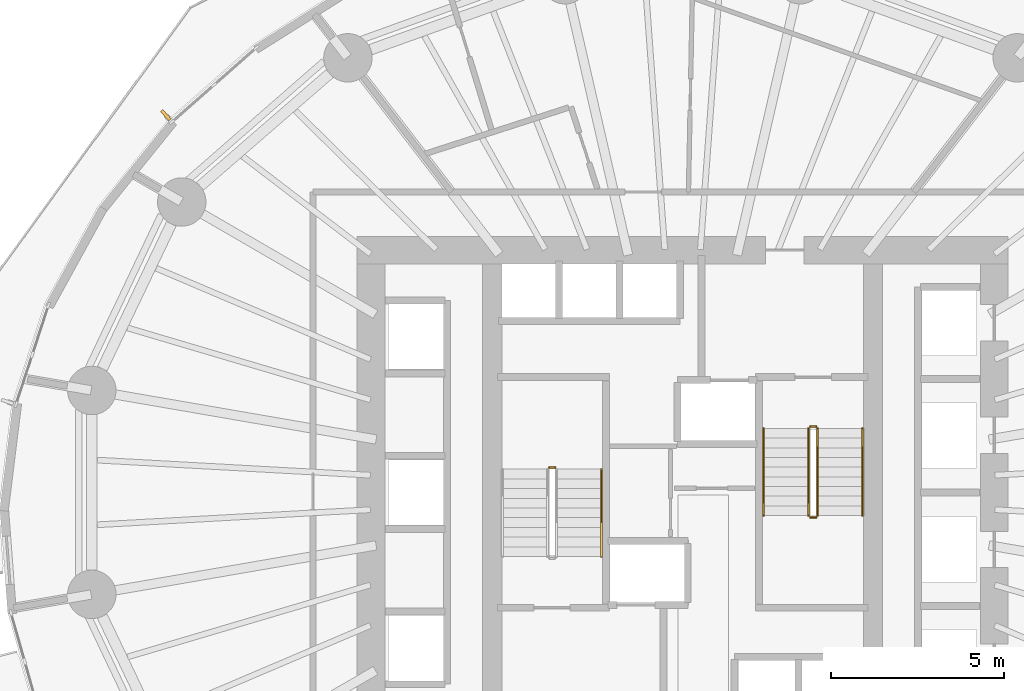
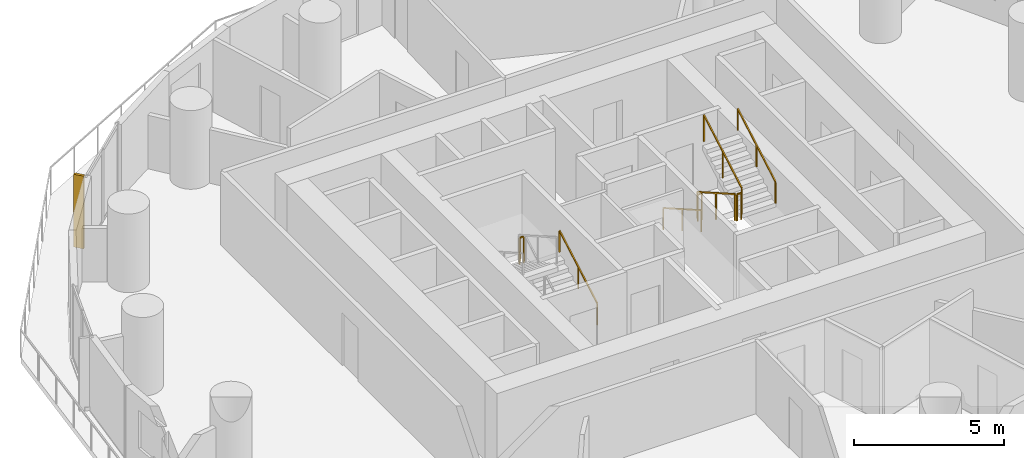
# One storey, part 13 of 14: 8 railings, 1 shading device.
"""IFC4 building model written with IfcOpenShell, lengths in metres."""

from ifc_helpers import new_model, si_unit, direction, frame, origin, origin_2d, place, context, subcontext, project, spatial, rectangle, extrude, material, layer, layer_set, type_object, element, save


model = new_model("IFC4")

# Units and contexts
model_context = context("Model", 3, precision=1e-05, world=origin(), true_north=direction((0.0, 1.0)))
body_context = subcontext(model_context, "Body", "Model", "MODEL_VIEW")
ifc_project = project(units=[si_unit("LENGTHUNIT", "METRE"), si_unit("AREAUNIT", "SQUARE_METRE"), si_unit("VOLUMEUNIT", "CUBIC_METRE"), si_unit("PLANEANGLEUNIT", "RADIAN"), si_unit("MASSUNIT", "GRAM", prefix="KILO")], contexts=[model_context])

# Site, building, storey
site_placement = place(None, origin())
site = spatial("IfcSite", under=ifc_project, at=site_placement, CompositionType="ELEMENT")
building_placement = place(site_placement, origin())
building = spatial("IfcBuilding", under=site, at=building_placement, Name="Veldorim Arch Residences", CompositionType="ELEMENT")
storey_placement = place(building_placement, frame((0.0, 0.0, 50.39990234375)))
storey = spatial("IfcBuildingStorey", under=building, at=storey_placement, Name="L14", CompositionType="ELEMENT", Elevation=50.39990234375)

# Railings
ifc_material_1 = material(Name="Steel S355", Category="steel")
railing_type_1 = type_object("IfcRailingType", Name="Galvanised Steel Stair Safety Guardrail 1100", PredefinedType="GUARDRAIL", material=ifc_material_1)
railing_1_placement = place(storey_placement, frame((28.31005859375, 24.719970703125, 1.60009765625)))
element("IfcRailing", 1, at=railing_1_placement, inside=storey, type_object=railing_type_1, Name="L14 ST-1 stair guard 2", PredefinedType="GUARDRAIL", context=body_context, shape_type="SweptSolid", body=[
    extrude(rectangle(XDim=0.048095703125, YDim=0.048095703125, at=origin_2d()), frame((0.0, 0.0, 1.076171875), z_axis=(-1.0, 0.0, 0.0), x_axis=(0.0, -1.0, 0.0)), (0.0, 0.0, 1.0), 0.16015625),
    extrude(rectangle(XDim=0.0419921875, YDim=0.0419921875, at=origin_2d()), origin(), (0.0, 0.0, 1.0), 1.052001953125),
    extrude(rectangle(XDim=0.0419921875, YDim=0.0419921875, at=origin_2d()), frame((-0.16015625, 0.0, 0.0)), (0.0, 0.0, 1.0), 1.052001953125),
])
railing_2_placement = place(storey_placement, frame((35.639892578125, 25.85009765625, 0.16015625)))
element("IfcRailing", 2, at=railing_2_placement, inside=storey, type_object=railing_type_1, Name="L14 ST-2 stair guard 1", PredefinedType="GUARDRAIL", context=body_context, shape_type="SweptSolid", body=[
    extrude(rectangle(XDim=0.048095703125, YDim=0.048095703125, at=origin_2d()), frame((0.0, 0.0, 1.076171875), z_axis=(0.0, -0.868253494771, 0.496120820787), x_axis=(1.0, 0.0, 0.0)), (0.0, 0.0, 1.0), 2.90234375),
    extrude(rectangle(XDim=0.0419921875, YDim=0.0419921875, at=origin_2d()), origin(), (0.0, 0.0, 1.0), 1.052001953125),
    extrude(rectangle(XDim=0.0419921875, YDim=0.0419921875, at=origin_2d()), frame((0.0, -1.260009765625, 0.719970703125)), (0.0, 0.0, 1.0), 1.052001953125),
    extrude(rectangle(XDim=0.0419921875, YDim=0.0419921875, at=origin_2d()), frame((0.0, -2.52001953125, 1.43994140625)), (0.0, 0.0, 1.0), 1.052001953125),
])
railing_3_placement = place(storey_placement, frame((35.68994140625, 23.280029296875, 1.60009765625)))
element("IfcRailing", 3, at=railing_3_placement, inside=storey, type_object=railing_type_1, Name="L14 ST-2 stair guard 2", PredefinedType="GUARDRAIL", context=body_context, shape_type="SweptSolid", body=[
    extrude(rectangle(XDim=0.048095703125, YDim=0.048095703125, at=origin_2d()), frame((0.0, 0.0, 1.076171875), z_axis=(1.0, 0.0, 0.0), x_axis=(0.0, 1.0, 0.0)), (0.0, 0.0, 1.0), 0.16015625),
    extrude(rectangle(XDim=0.0419921875, YDim=0.0419921875, at=origin_2d()), origin(), (0.0, 0.0, 1.0), 1.052001953125),
    extrude(rectangle(XDim=0.0419921875, YDim=0.0419921875, at=origin_2d()), frame((0.16015625, 0.0, 0.0)), (0.0, 0.0, 1.0), 1.052001953125),
])
railing_4_placement = place(storey_placement, frame((35.89990234375, 23.330078125, 1.760009765625)))
element("IfcRailing", 4, at=railing_4_placement, inside=storey, type_object=railing_type_1, Name="L14 ST-2 stair guard 3", PredefinedType="GUARDRAIL", context=body_context, shape_type="SweptSolid", body=[
    extrude(rectangle(XDim=0.048095703125, YDim=0.048095703125, at=origin_2d()), frame((0.0, 0.0, 1.076171875), z_axis=(0.0, 0.868217259934, 0.496184229447), x_axis=(-1.0, 0.0, 0.0)), (0.0, 0.0, 1.0), 2.902587890625),
    extrude(rectangle(XDim=0.0419921875, YDim=0.0419921875, at=origin_2d()), origin(), (0.0, 0.0, 1.0), 1.052001953125),
    extrude(rectangle(XDim=0.0419921875, YDim=0.0419921875, at=origin_2d()), frame((0.0, 1.260009765625, 0.72021484375)), (0.0, 0.0, 1.0), 1.052001953125),
    extrude(rectangle(XDim=0.0419921875, YDim=0.0419921875, at=origin_2d()), frame((0.0, 2.52001953125, 1.440185546875)), (0.0, 0.0, 1.0), 1.052001953125),
])
railing_5_placement = place(storey_placement, frame((35.68994140625, 25.89990234375, 0.0)))
element("IfcRailing", 5, at=railing_5_placement, inside=storey, type_object=railing_type_1, Name="L14 ST-2 stair guard 4", PredefinedType="GUARDRAIL", context=body_context, shape_type="SweptSolid", body=[
    extrude(rectangle(XDim=0.048095703125, YDim=0.048095703125, at=origin_2d()), frame((0.0, 0.0, 1.076171875), z_axis=(1.0, 0.0, 0.0), x_axis=(0.0, 1.0, 0.0)), (0.0, 0.0, 1.0), 0.16015625),
    extrude(rectangle(XDim=0.0419921875, YDim=0.0419921875, at=origin_2d()), origin(), (0.0, 0.0, 1.0), 1.052001953125),
    extrude(rectangle(XDim=0.0419921875, YDim=0.0419921875, at=origin_2d()), frame((0.16015625, 0.0, 0.0)), (0.0, 0.0, 1.0), 1.052001953125),
])
ifc_material_2 = material(Name="Stainless Steel", Category="steel")
railing_type_2 = type_object("IfcRailingType", Name="Tubular Steel Continuous Wall Handrail 900", PredefinedType="HANDRAIL", material=ifc_material_2)
railing_6_placement = place(storey_placement, frame((29.659912109375, 22.14990234375, 0.16015625)))
element("IfcRailing", 6, at=railing_6_placement, inside=storey, type_object=railing_type_2, Name="L14 ST-1 stair handrail 1", PredefinedType="HANDRAIL", context=body_context, shape_type="SweptSolid", body=[
    extrude(rectangle(XDim=0.048095703125, YDim=0.048095703125, at=origin_2d()), frame((0.0, 0.0, 0.8759765625), z_axis=(0.0, 0.868253494771, 0.496120820787), x_axis=(-1.0, 0.0, 0.0)), (0.0, 0.0, 1.0), 2.90234375),
    extrude(rectangle(XDim=0.0419921875, YDim=0.0419921875, at=origin_2d()), origin(), (0.0, 0.0, 1.0), 0.851806640625),
    extrude(rectangle(XDim=0.0419921875, YDim=0.0419921875, at=origin_2d()), frame((0.0, 1.260009765625, 0.719970703125)), (0.0, 0.0, 1.0), 0.851806640625),
    extrude(rectangle(XDim=0.0419921875, YDim=0.0419921875, at=origin_2d()), frame((0.0, 2.52001953125, 1.43994140625)), (0.0, 0.0, 1.0), 0.851806640625),
])
railing_7_placement = place(storey_placement, frame((34.340087890625, 25.85009765625, 0.16015625)))
element("IfcRailing", 7, at=railing_7_placement, inside=storey, type_object=railing_type_2, Name="L14 ST-2 stair handrail 1", PredefinedType="HANDRAIL", context=body_context, shape_type="SweptSolid", body=[
    extrude(rectangle(XDim=0.048095703125, YDim=0.048095703125, at=origin_2d()), frame((0.0, 0.0, 0.8759765625), z_axis=(0.0, -0.868253494771, 0.496120820787), x_axis=(1.0, 0.0, 0.0)), (0.0, 0.0, 1.0), 2.90234375),
    extrude(rectangle(XDim=0.0419921875, YDim=0.0419921875, at=origin_2d()), origin(), (0.0, 0.0, 1.0), 0.851806640625),
    extrude(rectangle(XDim=0.0419921875, YDim=0.0419921875, at=origin_2d()), frame((0.0, -1.260009765625, 0.719970703125)), (0.0, 0.0, 1.0), 0.851806640625),
    extrude(rectangle(XDim=0.0419921875, YDim=0.0419921875, at=origin_2d()), frame((0.0, -2.52001953125, 1.43994140625)), (0.0, 0.0, 1.0), 0.851806640625),
])
railing_8_placement = place(storey_placement, frame((37.199951171875, 23.330078125, 1.760009765625)))
element("IfcRailing", 8, at=railing_8_placement, inside=storey, type_object=railing_type_2, Name="L14 ST-2 stair handrail 2", PredefinedType="HANDRAIL", context=body_context, shape_type="SweptSolid", body=[
    extrude(rectangle(XDim=0.048095703125, YDim=0.048095703125, at=origin_2d()), frame((0.0, 0.0, 0.8759765625), z_axis=(0.0, 0.868217259934, 0.496184229447), x_axis=(-1.0, 0.0, 0.0)), (0.0, 0.0, 1.0), 2.902587890625),
    extrude(rectangle(XDim=0.0419921875, YDim=0.0419921875, at=origin_2d()), origin(), (0.0, 0.0, 1.0), 0.851806640625),
    extrude(rectangle(XDim=0.0419921875, YDim=0.0419921875, at=origin_2d()), frame((0.0, 1.260009765625, 0.72021484375)), (0.0, 0.0, 1.0), 0.851806640625),
    extrude(rectangle(XDim=0.0419921875, YDim=0.0419921875, at=origin_2d()), frame((0.0, 2.52001953125, 1.440185546875)), (0.0, 0.0, 1.0), 0.851806640625),
])

# Shading device
ifc_material_3 = material(Name="Terracotta Ceramic", Category="masonry")
ifc_layer = layer(ifc_material_3, 0.090087890625, Name="Vertical Extruded Terracotta Baguette Sun-Shading Fin")
ifc_layer_set = layer_set([ifc_layer], Name="Terracotta Ceramic")
shading_device_type = type_object("IfcShadingDeviceType", Name="Vertical Extruded Terracotta Baguette Sun-Shading Fin", PredefinedType="USERDEFINED", material=ifc_layer_set)
shading_device_placement = place(storey_placement, frame((17.073486328125, 34.89599609375, 0.0), z_axis=(0.0, 0.0, 1.0), x_axis=(0.750226478899, 0.661180936173, 0.0)))
element("IfcShadingDevice", 9, at=shading_device_placement, inside=storey, type_object=shading_device_type, Name="L14 vertical terracotta sun-shading fin 13", ObjectType="FIN", PredefinedType="USERDEFINED", context=body_context, shape_type="SweptSolid", body=[
    extrude(rectangle(XDim=0.090087890625, YDim=0.360107421875, at=origin_2d()), origin(), (0.0, 0.0, 1.0), 2.9599609375),
])

save(model, "model.ifc")
